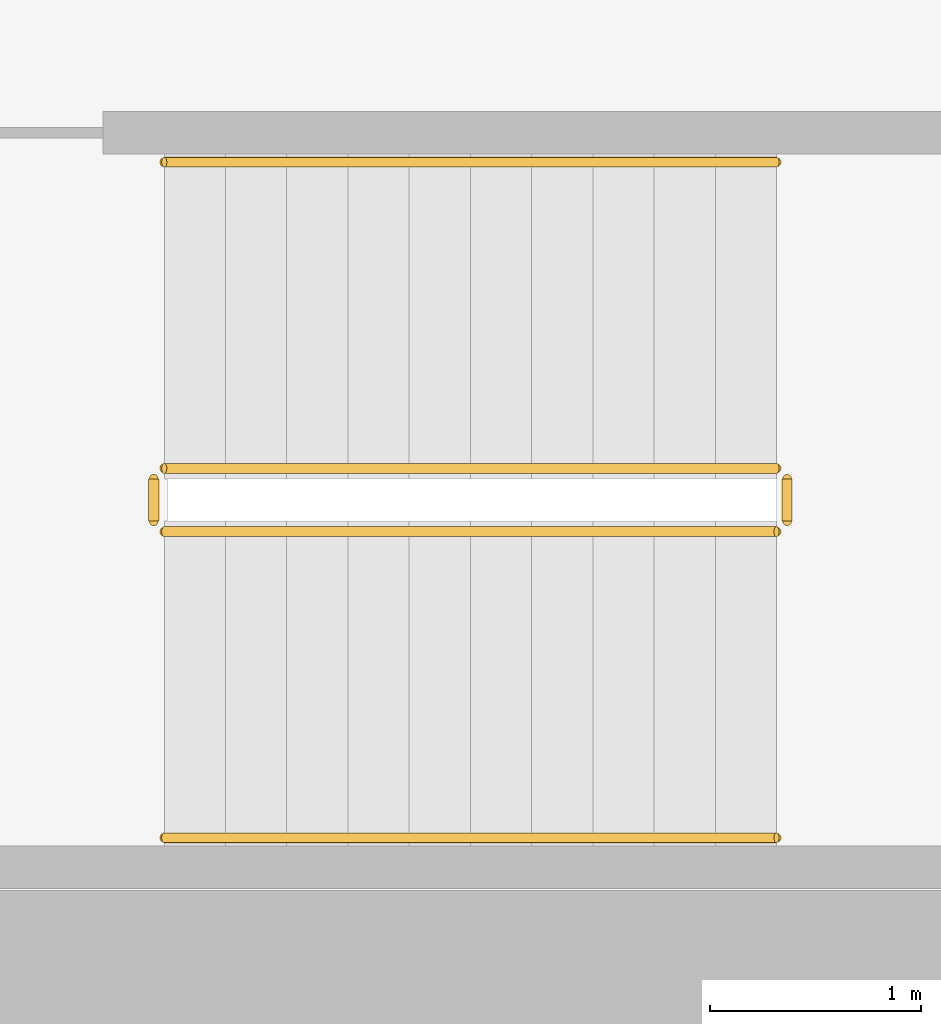
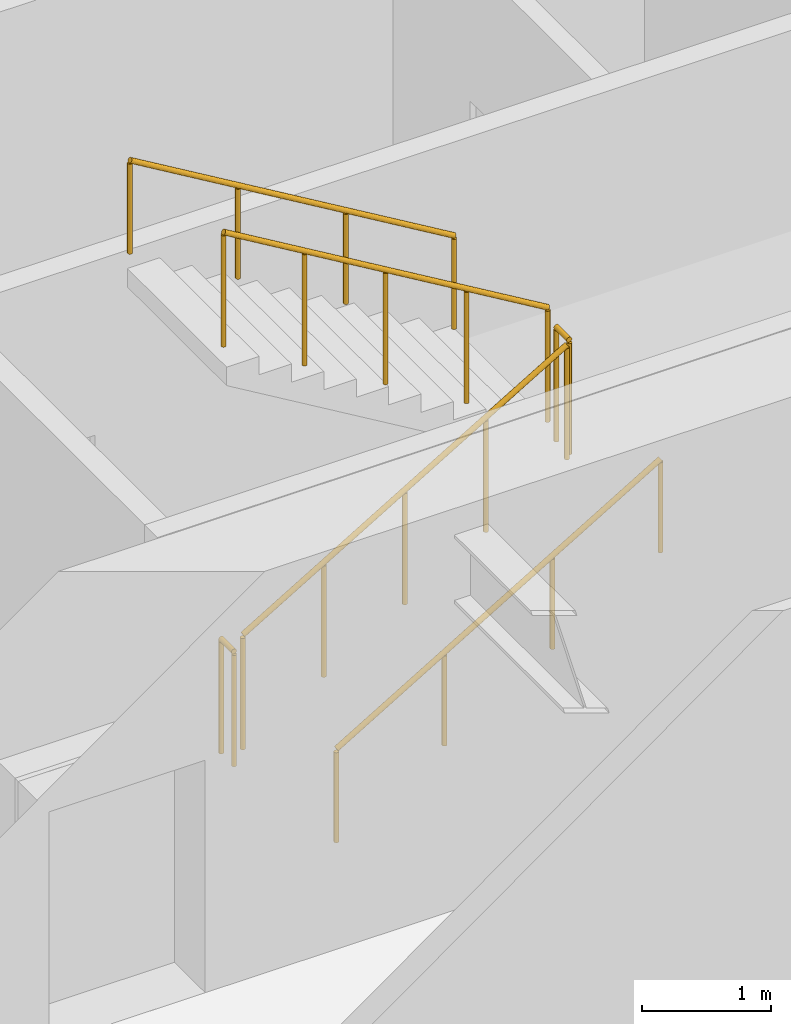
# One storey, part 19 of 20: 6 railings.
"""IFC4 building model written with IfcOpenShell, lengths in metres."""

from ifc_helpers import new_model, si_unit, direction, frame, origin, origin_2d, place, context, subcontext, project, spatial, circle, extrude, material, type_object, element, save


model = new_model("IFC4")

# Units and contexts
model_context = context("Model", 3, precision=1e-05, world=origin(), true_north=direction((0.0, 1.0)))
body_context = subcontext(model_context, "Body", "Model", "MODEL_VIEW")
ifc_project = project(units=[si_unit("LENGTHUNIT", "METRE"), si_unit("AREAUNIT", "SQUARE_METRE"), si_unit("VOLUMEUNIT", "CUBIC_METRE"), si_unit("PLANEANGLEUNIT", "RADIAN"), si_unit("MASSUNIT", "GRAM", prefix="KILO")], contexts=[model_context])

# Site, building, storey
site_placement = place(None, origin())
site = spatial("IfcSite", under=ifc_project, at=site_placement, CompositionType="ELEMENT")
building_placement = place(site_placement, origin())
building = spatial("IfcBuilding", under=site, at=building_placement, Name="Putna Gate Headquarters", CompositionType="ELEMENT")
storey_placement = place(building_placement, frame((0.0, 0.0, 43.0)))
storey = spatial("IfcBuildingStorey", under=building, at=storey_placement, Name="L09", CompositionType="ELEMENT", Elevation=43.0)

# Railings
ifc_material_1 = material(Name="Powder-coated steel stair guardrail", Category="steel")
railing_type_1 = type_object("IfcRailingType", Name="RAIL-STAIR-GUARD-1100", PredefinedType="GUARDRAIL", material=ifc_material_1)
railing_1_placement = place(storey_placement, frame((57.89990234375, 21.10009765625, 0.172607421875)))
element("IfcRailing", 1, at=railing_1_placement, inside=storey, type_object=railing_type_1, Name="L09 ST2 stair guard 1", PredefinedType="GUARDRAIL", context=body_context, shape_type="SweptSolid", body=[
    extrude(circle(Radius=0.02392578125, at=origin_2d()), frame((0.0, 0.0, 1.076171875), z_axis=(0.859160404282, 0.0, 0.51170636083), x_axis=(0.0, 1.0, 0.0)), (0.0, 0.0, 1.0), 3.37548828125),
    extrude(circle(Radius=0.02099609375, at=origin_2d()), origin(), (0.0, 0.0, 1.0), 1.052001953125),
    extrude(circle(Radius=0.02099609375, at=origin_2d()), frame((0.72509765625, 0.0, 0.431884765625)), (0.0, 0.0, 1.0), 1.052001953125),
    extrude(circle(Radius=0.02099609375, at=origin_2d()), frame((1.4501953125, 0.0, 0.86376953125)), (0.0, 0.0, 1.0), 1.052001953125),
    extrude(circle(Radius=0.02099609375, at=origin_2d()), frame((2.175048828125, 0.0, 1.29541015625)), (0.0, 0.0, 1.0), 1.052001953125),
    extrude(circle(Radius=0.02099609375, at=origin_2d()), frame((2.900146484375, 0.0, 1.727294921875)), (0.0, 0.0, 1.0), 1.052001953125),
])
railing_2_placement = place(storey_placement, frame((60.85009765625, 21.14990234375, 1.89990234375)))
element("IfcRailing", 2, at=railing_2_placement, inside=storey, type_object=railing_type_1, Name="L09 ST2 stair guard 2", PredefinedType="GUARDRAIL", context=body_context, shape_type="SweptSolid", body=[
    extrude(circle(Radius=0.02392578125, at=origin_2d()), frame((0.0, 0.0, 1.076171875), z_axis=(0.0, 1.0, 0.0), x_axis=(-1.0, 0.0, 0.0)), (0.0, 0.0, 1.0), 0.2001953125),
    extrude(circle(Radius=0.02099609375, at=origin_2d()), origin(), (0.0, 0.0, 1.0), 1.052001953125),
    extrude(circle(Radius=0.02099609375, at=origin_2d()), frame((0.0, 0.2001953125, 0.0)), (0.0, 0.0, 1.0), 1.052001953125),
])
railing_3_placement = place(storey_placement, frame((60.800048828125, 21.39990234375, 2.07275390625)))
element("IfcRailing", 3, at=railing_3_placement, inside=storey, type_object=railing_type_1, Name="L09 ST2 stair guard 3", PredefinedType="GUARDRAIL", context=body_context, shape_type="SweptSolid", body=[
    extrude(circle(Radius=0.02392578125, at=origin_2d()), frame((0.0, 0.0, 1.076171875), z_axis=(-0.859160404282, 0.0, 0.51170636083), x_axis=(0.0, -1.0, 0.0)), (0.0, 0.0, 1.0), 3.37548828125),
    extrude(circle(Radius=0.02099609375, at=origin_2d()), origin(), (0.0, 0.0, 1.0), 1.052001953125),
    extrude(circle(Radius=0.02099609375, at=origin_2d()), frame((-0.72509765625, 0.0, 0.431884765625)), (0.0, 0.0, 1.0), 1.052001953125),
    extrude(circle(Radius=0.02099609375, at=origin_2d()), frame((-1.4501953125, 0.0, 0.86376953125)), (0.0, 0.0, 1.0), 1.052001953125),
    extrude(circle(Radius=0.02099609375, at=origin_2d()), frame((-2.175048828125, 0.0, 1.29541015625)), (0.0, 0.0, 1.0), 1.052001953125),
    extrude(circle(Radius=0.02099609375, at=origin_2d()), frame((-2.900146484375, 0.0, 1.727294921875)), (0.0, 0.0, 1.0), 1.052001953125),
])
railing_4_placement = place(storey_placement, frame((57.85009765625, 21.14990234375, 0.0)))
element("IfcRailing", 4, at=railing_4_placement, inside=storey, type_object=railing_type_1, Name="L09 ST2 stair guard 4", PredefinedType="GUARDRAIL", context=body_context, shape_type="SweptSolid", body=[
    extrude(circle(Radius=0.02392578125, at=origin_2d()), frame((0.0, 0.0, 1.076171875), z_axis=(0.0, 1.0, 0.0), x_axis=(-1.0, 0.0, 0.0)), (0.0, 0.0, 1.0), 0.2001953125),
    extrude(circle(Radius=0.02099609375, at=origin_2d()), origin(), (0.0, 0.0, 1.0), 1.052001953125),
    extrude(circle(Radius=0.02099609375, at=origin_2d()), frame((0.0, 0.2001953125, 0.0)), (0.0, 0.0, 1.0), 1.052001953125),
])
ifc_material_2 = material(Name="Brushed stainless steel handrail", Category="steel")
railing_type_2 = type_object("IfcRailingType", Name="RAIL-STAIR-HAND-900", PredefinedType="HANDRAIL", material=ifc_material_2)
railing_5_placement = place(storey_placement, frame((57.89990234375, 19.64990234375, 0.172607421875)))
element("IfcRailing", 5, at=railing_5_placement, inside=storey, type_object=railing_type_2, Name="L09 ST2 stair handrail 1", PredefinedType="HANDRAIL", context=body_context, shape_type="SweptSolid", body=[
    extrude(circle(Radius=0.02392578125, at=origin_2d()), frame((0.0, 0.0, 0.8759765625), z_axis=(0.859160404282, 0.0, 0.51170636083), x_axis=(0.0, 1.0, 0.0)), (0.0, 0.0, 1.0), 3.37548828125),
    extrude(circle(Radius=0.02099609375, at=origin_2d()), origin(), (0.0, 0.0, 1.0), 0.851806640625),
    extrude(circle(Radius=0.02099609375, at=origin_2d()), frame((0.966796875, 0.0, 0.57568359375)), (0.0, 0.0, 1.0), 0.851806640625),
    extrude(circle(Radius=0.02099609375, at=origin_2d()), frame((1.933349609375, 0.0, 1.151611328125)), (0.0, 0.0, 1.0), 0.851806640625),
    extrude(circle(Radius=0.02099609375, at=origin_2d()), frame((2.900146484375, 0.0, 1.727294921875)), (0.0, 0.0, 1.0), 0.851806640625),
])
railing_6_placement = place(storey_placement, frame((60.800048828125, 22.85009765625, 2.07275390625)))
element("IfcRailing", 6, at=railing_6_placement, inside=storey, type_object=railing_type_2, Name="L09 ST2 stair handrail 2", PredefinedType="HANDRAIL", context=body_context, shape_type="SweptSolid", body=[
    extrude(circle(Radius=0.02392578125, at=origin_2d()), frame((0.0, 0.0, 0.8759765625), z_axis=(-0.859160404282, 0.0, 0.51170636083), x_axis=(0.0, -1.0, 0.0)), (0.0, 0.0, 1.0), 3.37548828125),
    extrude(circle(Radius=0.02099609375, at=origin_2d()), origin(), (0.0, 0.0, 1.0), 0.851806640625),
    extrude(circle(Radius=0.02099609375, at=origin_2d()), frame((-0.966796875, 0.0, 0.57568359375)), (0.0, 0.0, 1.0), 0.851806640625),
    extrude(circle(Radius=0.02099609375, at=origin_2d()), frame((-1.933349609375, 0.0, 1.151611328125)), (0.0, 0.0, 1.0), 0.851806640625),
    extrude(circle(Radius=0.02099609375, at=origin_2d()), frame((-2.900146484375, 0.0, 1.727294921875)), (0.0, 0.0, 1.0), 0.851806640625),
])

save(model, "model.ifc")
